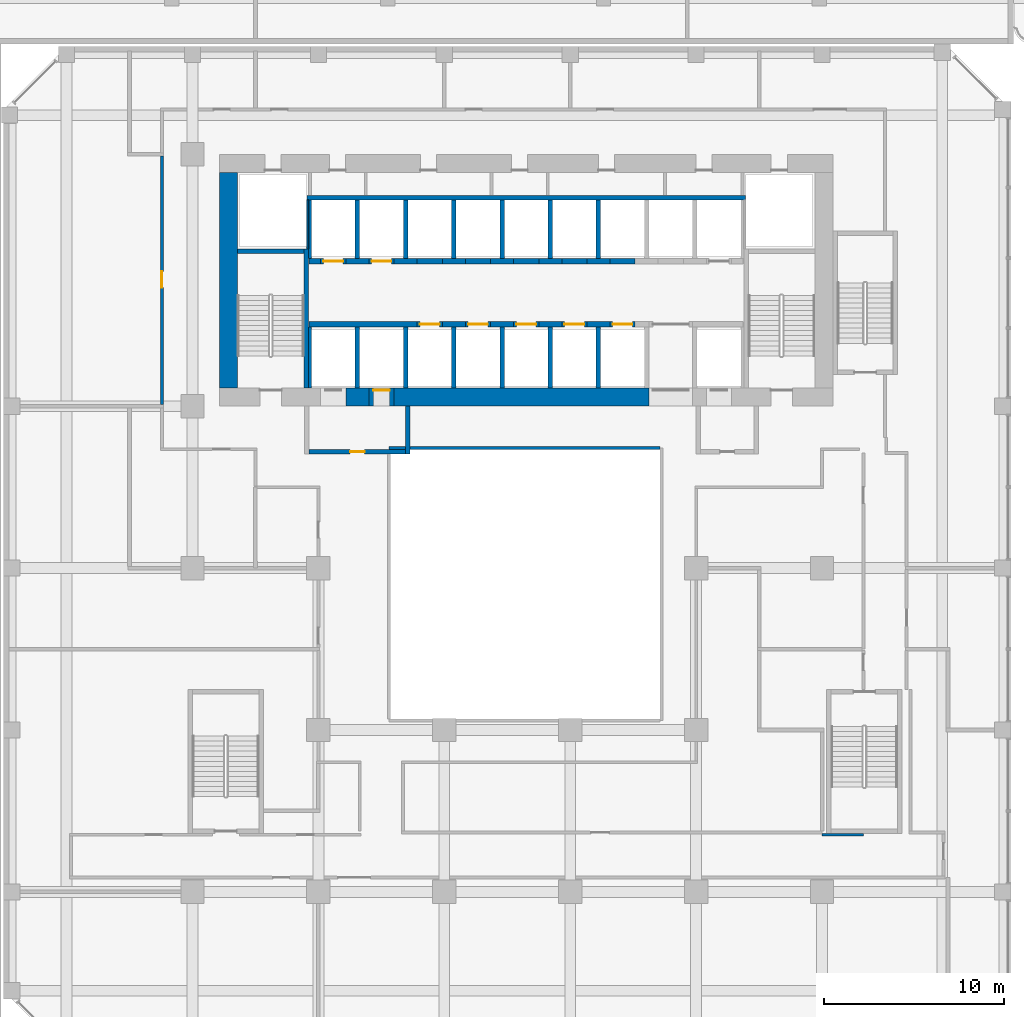
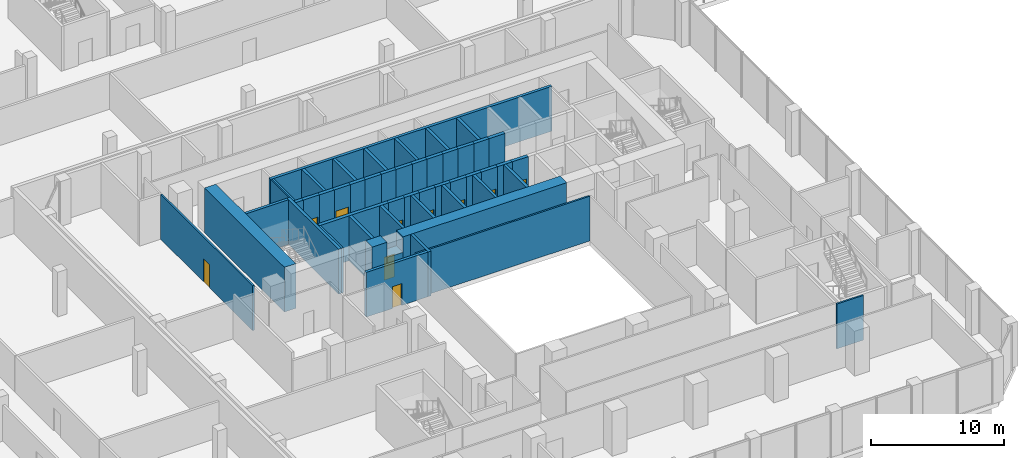
# One storey, part 18 of 35: 51 walls, 10 doors, 10 openings.
"""IFC4 building model written with IfcOpenShell, lengths in metres."""

from ifc_helpers import new_model, si_unit, direction, frame, frame_2d, origin, place, context, subcontext, project, spatial, rectangle, extrude, source, transform, mapped, material, layer, layer_set, type_object, element, fill, save


model = new_model("IFC4")

# Units and contexts
model_context = context("Model", 3, precision=1e-05, world=origin(), true_north=direction((0.0, 1.0)))
body_context = subcontext(model_context, "Body", "Model", "MODEL_VIEW")
ifc_project = project(units=[si_unit("LENGTHUNIT", "METRE"), si_unit("AREAUNIT", "SQUARE_METRE"), si_unit("VOLUMEUNIT", "CUBIC_METRE"), si_unit("PLANEANGLEUNIT", "RADIAN"), si_unit("MASSUNIT", "GRAM", prefix="KILO")], contexts=[model_context])

# Site, building, storey
site_placement = place(None, origin())
site = spatial("IfcSite", under=ifc_project, at=site_placement, CompositionType="ELEMENT")
building_placement = place(site_placement, origin())
building = spatial("IfcBuilding", under=site, at=building_placement, Name="Kilnfold Tower and Market Hall", CompositionType="ELEMENT")
storey_placement = place(building_placement, frame((0.0, 0.0, 13.5)))
storey = spatial("IfcBuildingStorey", under=building, at=storey_placement, Name="L02", CompositionType="ELEMENT", Elevation=13.5)

# Wall
ifc_material_1 = material(Name="Fire-resisting glazed screen")
ifc_layer_1 = layer(ifc_material_1, 0.14990234375)
ifc_layer_set_1 = layer_set([ifc_layer_1], Name="Fire-resisting glazed screen")
wall_type_1 = type_object("IfcWallType", Name="WALL ATRIUM 150", PredefinedType="PARTITIONING", material=ifc_layer_set_1)
wall_1_placement = place(storey_placement, frame((-6.574951171875, 5.675048828125, 0.0), z_axis=(0.0, 0.0, 1.0), x_axis=(1.0, 0.0, 0.0)))
element("IfcWall", 1, at=wall_1_placement, inside=storey, type_object=wall_type_1, Name="Partition LY03.69", PredefinedType="PARTITIONING", context=body_context, shape_type="SweptSolid", body=[
    extrude(rectangle(XDim=15.074951171875, YDim=0.14990234375, at=frame_2d((7.53759765625, 0.0))), origin(), (0.0, 0.0, 1.0), 4.10009765625),
])

# Wall, opening, door
ifc_material_2 = material(Name="Gypsum board on steel studs", Category="steel")
ifc_layer_2 = layer(ifc_material_2, 0.14990234375)
ifc_layer_set_2 = layer_set([ifc_layer_2], Name="Gypsum board on steel studs")
wall_type_2 = type_object("IfcWallType", Name="WALL CORRIDOR 150", PredefinedType="PARTITIONING", material=ifc_layer_set_2)
wall_2_placement = place(storey_placement, frame((-19.199951171875, 8.090087890625, 0.0), z_axis=(0.0, 0.0, 1.0), x_axis=(0.0, 1.0, 0.0)))
wall_2 = element("IfcWall", 2, at=wall_2_placement, inside=storey, type_object=wall_type_2, Name="Partition LY03.8", PredefinedType="PARTITIONING", context=body_context, shape_type="SweptSolid", body=[
    extrude(rectangle(XDim=13.81982421875, YDim=0.14990234375, at=frame_2d((6.909912109375, 0.0))), origin(), (0.0, 0.0, 1.0), 4.10009765625),
])
opening_1_placement = place(wall_2_placement, frame((6.510009765625, 0.0, 0.0)))
opening_1 = element("IfcOpeningElement", 3, at=opening_1_placement, cuts=wall_2, Name="Opening D2", PredefinedType="OPENING", context=body_context, shape_type="SweptSolid", body=[
    extrude(rectangle(XDim=0.89990234375, YDim=2.10009765625, at=frame_2d((0.449951171875, 1.050048828125))), frame((0.0, 0.0849609375, 0.0), z_axis=(0.0, -1.0, 0.0), x_axis=(1.0, 0.0, 0.0)), (0.0, 0.0, 1.0), 0.169921875),
])
ifc_material_3 = material(Name="Timber veneer door leaf in steel frame", Category="steel")
door_type_1 = type_object("IfcDoorType", Name="DOOR ROOM 900 X2100", OperationType="NOTDEFINED", PredefinedType="DOOR", material=ifc_material_3)
door_1_placement = place(opening_1_placement, origin())
door_1 = element("IfcDoor", 4, at=door_1_placement, inside=storey, type_object=door_type_1, Name="Door D2", OperationType="SINGLE_SWING_LEFT", OverallHeight=2.10009765625, OverallWidth=0.89990234375, PredefinedType="DOOR", context=body_context, shape_type="SweptSolid", body=[
    extrude(rectangle(XDim=0.89990234375, YDim=2.10009765625, at=frame_2d((0.449951171875, 1.050048828125))), frame((0.0, 0.02490234375, 0.0), z_axis=(0.0, -1.0, 0.0), x_axis=(1.0, 0.0, 0.0)), (0.0, 0.0, 1.0), 0.050048828125),
])
fill(opening_1, door_1)

# Walls
wall_3_placement = place(storey_placement, frame((17.489990234375, -15.824951171875, 0.0), z_axis=(0.0, 0.0, 1.0), x_axis=(1.0, 0.0, 0.0)))
element("IfcWall", 5, at=wall_3_placement, inside=storey, type_object=wall_type_2, Name="Partition LY03.33", PredefinedType="PARTITIONING", context=body_context, shape_type="SweptSolid", body=[
    extrude(rectangle(XDim=2.31005859375, YDim=0.14990234375, at=frame_2d((1.155029296875, 0.0))), origin(), (0.0, 0.0, 1.0), 4.10009765625),
])
ifc_material_4 = material(Name="Concrete C80", Category="concrete")
ifc_layer_3 = layer(ifc_material_4, 1.0)
ifc_layer_set_3 = layer_set([ifc_layer_3], Name="Concrete C80")
wall_type_3 = type_object("IfcWallType", Name="CORE WALL 1000 C80", PredefinedType="SHEAR", material=ifc_layer_set_3)
shared_shape_1 = source(origin(), body_context, "Body", "SweptSolid", [
    extrude(rectangle(XDim=1.280029296875, YDim=1.0, at=frame_2d((0.64013671875, 0.0))), origin(), (0.0, 0.0, 1.0), 4.10009765625),
])
wall_4_placement = place(storey_placement, frame((-8.969970703125, 8.5, 0.0), z_axis=(0.0, 0.0, 1.0), x_axis=(1.0, 0.0, 0.0)))
element("IfcWall", 6, at=wall_4_placement, inside=storey, type_object=wall_type_3, Name="Core outer wall south", PredefinedType="SHEAR", context=body_context, shape_type="MappedRepresentation", body=[
    mapped(shared_shape_1, transform((0.0, 0.0, 0.0))),
])
shared_shape_2 = source(origin(), body_context, "Body", "SweptSolid", [
    extrude(rectangle(XDim=14.179931640625, YDim=1.0, at=frame_2d((7.08984375, 0.0))), origin(), (0.0, 0.0, 1.0), 4.10009765625),
])
wall_5_placement = place(storey_placement, frame((-6.2900390625, 8.5, 0.0), z_axis=(0.0, 0.0, 1.0), x_axis=(1.0, 0.0, 0.0)))
element("IfcWall", 7, at=wall_5_placement, inside=storey, type_object=wall_type_3, Name="Core outer wall south", PredefinedType="SHEAR", context=body_context, shape_type="MappedRepresentation", body=[
    mapped(shared_shape_2, transform((0.0, 0.0, 0.0))),
])
shared_shape_3 = source(origin(), body_context, "Body", "SweptSolid", [
    extrude(rectangle(XDim=12.0, YDim=1.0, at=frame_2d((6.0, 0.0))), origin(), (0.0, 0.0, 1.0), 4.10009765625),
])
wall_6_placement = place(storey_placement, frame((-15.5, 9.0, 0.0), z_axis=(0.0, 0.0, 1.0), x_axis=(0.0, 1.0, 0.0)))
element("IfcWall", 8, at=wall_6_placement, inside=storey, type_object=wall_type_3, Name="Core outer wall west", PredefinedType="SHEAR", context=body_context, shape_type="MappedRepresentation", body=[
    mapped(shared_shape_3, transform((0.0, 0.0, 0.0))),
])
ifc_material_5 = material(Name="Concrete C80", Category="concrete")
ifc_layer_4 = layer(ifc_material_5, 0.25)
ifc_layer_set_4 = layer_set([ifc_layer_4], Name="Concrete C80")
wall_type_4 = type_object("IfcWallType", Name="CORE WALL 250 C80", PredefinedType="SHEAR", material=ifc_layer_set_4)
shared_shape_4 = source(origin(), body_context, "Body", "SweptSolid", [
    extrude(rectangle(XDim=7.75, YDim=0.25, at=frame_2d((3.875, 0.0))), origin(), (0.0, 0.0, 1.0), 4.10009765625),
])
wall_7_placement = place(storey_placement, frame((-11.175048828125, 9.0, 0.0), z_axis=(0.0, 0.0, 1.0), x_axis=(0.0, 1.0, 0.0)))
element("IfcWall", 9, at=wall_7_placement, inside=storey, type_object=wall_type_4, Name="Stair enclosure ST1", PredefinedType="SHEAR", context=body_context, shape_type="MappedRepresentation", body=[
    mapped(shared_shape_4, transform((0.0, 0.0, 0.0))),
])
shared_shape_5 = source(origin(), body_context, "Body", "SweptSolid", [
    extrude(rectangle(XDim=3.699951171875, YDim=0.25, at=frame_2d((1.85009765625, 0.0))), origin(), (0.0, 0.0, 1.0), 4.10009765625),
])
wall_8_placement = place(storey_placement, frame((-15.0, 16.625, 0.0), z_axis=(0.0, 0.0, 1.0), x_axis=(1.0, 0.0, 0.0)))
element("IfcWall", 10, at=wall_8_placement, inside=storey, type_object=wall_type_4, Name="Stair enclosure ST1", PredefinedType="SHEAR", context=body_context, shape_type="MappedRepresentation", body=[
    mapped(shared_shape_5, transform((0.0, 0.0, 0.0))),
])
ifc_material_6 = material(Name="Concrete C80", Category="concrete")
ifc_layer_5 = layer(ifc_material_6, 0.300048828125)
ifc_layer_set_5 = layer_set([ifc_layer_5], Name="Concrete C80")
wall_type_5 = type_object("IfcWallType", Name="CORE WALL 300 C80", PredefinedType="SHEAR", material=ifc_layer_set_5)
shared_shape_6 = source(origin(), body_context, "Body", "SweptSolid", [
    extrude(rectangle(XDim=6.0, YDim=0.300048828125, at=frame_2d((3.0, 0.0))), origin(), (0.0, 0.0, 1.0), 4.10009765625),
])
wall_9_placement = place(storey_placement, frame((-11.010009765625, 12.550048828125, 0.0), z_axis=(0.0, 0.0, 1.0), x_axis=(1.0, 0.0, 0.0)))
element("IfcWall", 11, at=wall_9_placement, inside=storey, type_object=wall_type_5, Name="Core spine wall", PredefinedType="SHEAR", context=body_context, shape_type="MappedRepresentation", body=[
    mapped(shared_shape_6, transform((0.0, 0.0, 0.0))),
])
shared_shape_7 = source(origin(), body_context, "Body", "SweptSolid", [
    extrude(rectangle(XDim=1.280029296875, YDim=0.300048828125, at=frame_2d((0.64013671875, 0.0))), origin(), (0.0, 0.0, 1.0), 4.10009765625),
])
for number, where, z_axis, x_axis, name in (
    (12, (-3.610107421875, 12.550048828125, 0.0), (0.0, 0.0, 1.0), (1.0, 0.0, 0.0), "Core spine wall"),
    (13, (-0.929931640625, 12.550048828125, 0.0), (0.0, 0.0, 1.0), (1.0, 0.0, 0.0), "Core spine wall"),
    (14, (1.75, 12.550048828125, 0.0), (0.0, 0.0, 1.0), (1.0, 0.0, 0.0), "Core spine wall"),
    (15, (4.429931640625, 12.550048828125, 0.0), (0.0, 0.0, 1.0), (1.0, 0.0, 0.0), "Core spine wall"),
    (16, (-8.969970703125, 16.050048828125, 0.0), (0.0, 0.0, 1.0), (1.0, 0.0, 0.0), "Core spine wall"),
    (17, (-6.2900390625, 16.050048828125, 0.0), (0.0, 0.0, 1.0), (1.0, 0.0, 0.0), "Core spine wall"),
    (18, (-3.610107421875, 16.050048828125, 0.0), (0.0, 0.0, 1.0), (1.0, 0.0, 0.0), "Core spine wall"),
    (19, (-0.929931640625, 16.050048828125, 0.0), (0.0, 0.0, 1.0), (1.0, 0.0, 0.0), "Core spine wall"),
    (20, (1.75, 16.050048828125, 0.0), (0.0, 0.0, 1.0), (1.0, 0.0, 0.0), "Core spine wall"),
    (21, (4.429931640625, 16.050048828125, 0.0), (0.0, 0.0, 1.0), (1.0, 0.0, 0.0), "Core spine wall"),
):
    element("IfcWall", number, at=place(storey_placement, frame(where, z_axis=z_axis, x_axis=x_axis)), inside=storey, type_object=wall_type_5, Name=name, PredefinedType="SHEAR", context=body_context, shape_type="MappedRepresentation", body=[
        mapped(shared_shape_7, transform((0.0, 0.0, 0.0))),
    ])
shared_shape_8 = source(origin(), body_context, "Body", "SweptSolid", [
    extrude(rectangle(XDim=0.639892578125, YDim=0.300048828125, at=frame_2d((0.31982421875, 0.0))), origin(), (0.0, 0.0, 1.0), 4.10009765625),
])
wall_10_placement = place(storey_placement, frame((-11.010009765625, 16.050048828125, 0.0), z_axis=(0.0, 0.0, 1.0), x_axis=(1.0, 0.0, 0.0)))
element("IfcWall", 22, at=wall_10_placement, inside=storey, type_object=wall_type_5, Name="Core spine wall", PredefinedType="SHEAR", context=body_context, shape_type="MappedRepresentation", body=[
    mapped(shared_shape_8, transform((0.0, 0.0, 0.0))),
])
ifc_material_7 = material(Name="Gypsum shaft wall system")
ifc_layer_6 = layer(ifc_material_7, 0.25)
ifc_layer_set_6 = layer_set([ifc_layer_6], Name="Gypsum shaft wall system")
wall_type_6 = type_object("IfcWallType", Name="LOBBY WALL 250", PredefinedType="PARTITIONING", material=ifc_layer_set_6)
shared_shape_9 = source(origin(), body_context, "Body", "SweptSolid", [
    extrude(rectangle(XDim=2.64990234375, YDim=0.25, at=frame_2d((1.324951171875, 0.0))), origin(), (0.0, 0.0, 1.0), 4.10009765625),
])
wall_11_placement = place(storey_placement, frame((-5.52490234375, 5.35009765625, 0.0), z_axis=(0.0, 0.0, 1.0), x_axis=(0.0, 1.0, 0.0)))
element("IfcWall", 23, at=wall_11_placement, inside=storey, type_object=wall_type_6, Name="Firefighting lobby wall", PredefinedType="PARTITIONING", context=body_context, shape_type="MappedRepresentation", body=[
    mapped(shared_shape_9, transform((0.0, 0.0, 0.0))),
])

# Wall, opening, door
shared_shape_10 = source(origin(), body_context, "Body", "SweptSolid", [
    extrude(rectangle(XDim=5.360107421875, YDim=0.25, at=frame_2d((2.68017578125, 0.0))), origin(), (0.0, 0.0, 1.0), 4.10009765625),
])
wall_12_placement = place(storey_placement, frame((-11.010009765625, 5.47509765625, 0.0), z_axis=(0.0, 0.0, 1.0), x_axis=(1.0, 0.0, 0.0)))
wall_12 = element("IfcWall", 24, at=wall_12_placement, inside=storey, type_object=wall_type_6, Name="Firefighting lobby wall", PredefinedType="PARTITIONING", context=body_context, shape_type="MappedRepresentation", body=[
    mapped(shared_shape_10, transform((0.0, 0.0, 0.0))),
])
opening_2_placement = place(wall_12_placement, frame((2.280029296875, 0.0, 0.0)))
opening_2 = element("IfcOpeningElement", 25, at=opening_2_placement, cuts=wall_12, Name="Opening VD1", PredefinedType="OPENING", context=body_context, shape_type="SweptSolid", body=[
    extrude(rectangle(XDim=0.800048828125, YDim=2.0, at=frame_2d((0.39990234375, 1.0))), frame((0.0, 0.135009765625, 0.0), z_axis=(0.0, -1.0, 0.0), x_axis=(1.0, 0.0, 0.0)), (0.0, 0.0, 1.0), 0.27001953125),
])
ifc_material_8 = material(Name="Steel door set with fire-resisting leaf", Category="steel")
door_type_2 = type_object("IfcDoorType", Name="FIREFIGHTING LOBBY DOOR 800X2000", OperationType="NOTDEFINED", PredefinedType="DOOR", material=ifc_material_8)
door_2_placement = place(opening_2_placement, origin())
door_2 = element("IfcDoor", 26, at=door_2_placement, inside=storey, type_object=door_type_2, Name="Firefighting lobby door", OperationType="SINGLE_SWING_LEFT", OverallHeight=2.0, OverallWidth=0.800048828125, PredefinedType="DOOR", context=body_context, shape_type="SweptSolid", body=[
    extrude(rectangle(XDim=0.800048828125, YDim=2.0, at=frame_2d((0.39990234375, 1.0))), frame((0.0, 0.02490234375, 0.0), z_axis=(0.0, -1.0, 0.0), x_axis=(1.0, 0.0, 0.0)), (0.0, 0.0, 1.0), 0.050048828125),
])
fill(opening_2, door_2)

# Walls
ifc_material_9 = material(Name="Gypsum shaft wall system")
ifc_layer_7 = layer(ifc_material_9, 0.25)
ifc_layer_set_7 = layer_set([ifc_layer_7], Name="Gypsum shaft wall system")
wall_type_7 = type_object("IfcWallType", Name="SHAFT WALL 250", PredefinedType="PARTITIONING", material=ifc_layer_set_7)
shared_shape_11 = source(origin(), body_context, "Body", "SweptSolid", [
    extrude(rectangle(XDim=3.39990234375, YDim=0.25, at=frame_2d((1.699951171875, 0.0))), origin(), (0.0, 0.0, 1.0), 4.10009765625),
])
for number, where, z_axis, x_axis, name in (
    (27, (2.389892578125, 9.0, 0.0), (0.0, 0.0, 1.0), (0.0, 1.0, 0.0), "Lift shaft wall"),
    (28, (5.070068359375, 9.0, 0.0), (0.0, 0.0, 1.0), (0.0, 1.0, 0.0), "Lift shaft wall"),
    (29, (-0.2900390625, 9.0, 0.0), (0.0, 0.0, 1.0), (0.0, 1.0, 0.0), "Lift shaft wall"),
    (30, (-2.969970703125, 9.0, 0.0), (0.0, 0.0, 1.0), (0.0, 1.0, 0.0), "Lift shaft wall"),
    (31, (-5.64990234375, 9.0, 0.0), (0.0, 0.0, 1.0), (0.0, 1.0, 0.0), "Lift shaft wall"),
    (32, (-8.330078125, 9.0, 0.0), (0.0, 0.0, 1.0), (0.0, 1.0, 0.0), "Lift shaft wall"),
):
    element("IfcWall", number, at=place(storey_placement, frame(where, z_axis=z_axis, x_axis=x_axis)), inside=storey, type_object=wall_type_7, Name=name, PredefinedType="PARTITIONING", context=body_context, shape_type="MappedRepresentation", body=[
        mapped(shared_shape_11, transform((0.0, 0.0, 0.0))),
    ])
ifc_material_10 = material(Name="Gypsum shaft wall system")
ifc_layer_8 = layer(ifc_material_10, 0.1650390625)
ifc_layer_set_8 = layer_set([ifc_layer_8], Name="Gypsum shaft wall system")
wall_type_8 = type_object("IfcWallType", Name="SHAFT WALL 165", PredefinedType="PARTITIONING", material=ifc_layer_set_8)
shared_shape_12 = source(origin(), body_context, "Body", "SweptSolid", [
    extrude(rectangle(XDim=3.39990234375, YDim=0.1650390625, at=frame_2d((1.699951171875, 0.0))), origin(), (0.0, 0.0, 1.0), 4.10009765625),
])
wall_13_placement = place(storey_placement, frame((-10.967529296875, 9.0, 0.0), z_axis=(0.0, 0.0, 1.0), x_axis=(0.0, 1.0, 0.0)))
element("IfcWall", 33, at=wall_13_placement, inside=storey, type_object=wall_type_8, Name="Lift shaft wall", PredefinedType="PARTITIONING", context=body_context, shape_type="MappedRepresentation", body=[
    mapped(shared_shape_12, transform((0.0, 0.0, 0.0))),
])

# Wall, opening, door
ifc_material_11 = material(Name="Gypsum shaft wall system")
ifc_layer_9 = layer(ifc_material_11, 1.0)
ifc_layer_set_9 = layer_set([ifc_layer_9], Name="Gypsum shaft wall system")
wall_type_9 = type_object("IfcWallType", Name="LOBBY WALL 1000", PredefinedType="PARTITIONING", material=ifc_layer_set_9)
shared_shape_13 = source(origin(), body_context, "Body", "SweptSolid", [
    extrude(rectangle(XDim=1.39990234375, YDim=1.0, at=frame_2d((0.699951171875, 0.0))), origin(), (0.0, 0.0, 1.0), 2.699951171875),
])
wall_14_placement = place(storey_placement, frame((-7.68994140625, 8.5, 0.0), z_axis=(0.0, 0.0, 1.0), x_axis=(1.0, 0.0, 0.0)))
wall_14 = element("IfcWall", 34, at=wall_14_placement, inside=storey, type_object=wall_type_9, Name="Core wall infill", PredefinedType="PARTITIONING", context=body_context, shape_type="MappedRepresentation", body=[
    mapped(shared_shape_13, transform((0.0, 0.0, 0.0))),
])
opening_3_placement = place(wall_14_placement, frame((0.25, 0.0, 0.0)))
opening_3 = element("IfcOpeningElement", 35, at=opening_3_placement, cuts=wall_14, Name="Opening LD1", PredefinedType="OPENING", context=body_context, shape_type="SweptSolid", body=[
    extrude(rectangle(XDim=0.89990234375, YDim=2.10009765625, at=frame_2d((0.449951171875, 1.050048828125))), frame((0.0, 0.510009765625, 0.0), z_axis=(0.0, -1.0, 0.0), x_axis=(1.0, 0.0, 0.0)), (0.0, 0.0, 1.0), 1.02001953125),
])
ifc_material_12 = material(Name="Steel door set with fire-resisting leaf", Category="steel")
door_type_3 = type_object("IfcDoorType", Name="FIREFIGHTING LANDING DOOR 900X2100", OperationType="NOTDEFINED", PredefinedType="DOOR", material=ifc_material_12)
door_3_placement = place(opening_3_placement, origin())
door_3 = element("IfcDoor", 36, at=door_3_placement, inside=storey, type_object=door_type_3, Name="Landing door FF2", OperationType="SLIDING_TO_RIGHT", OverallHeight=2.10009765625, OverallWidth=0.89990234375, PredefinedType="DOOR", context=body_context, shape_type="SweptSolid", body=[
    extrude(rectangle(XDim=0.89990234375, YDim=2.10009765625, at=frame_2d((0.449951171875, 1.050048828125))), frame((0.0, 0.40478515625, 0.0), z_axis=(0.0, -1.0, 0.0), x_axis=(1.0, 0.0, 0.0)), (0.0, 0.0, 1.0), 0.050048828125),
])
fill(opening_3, door_3)

ifc_material_13 = material(Name="Gypsum shaft wall system")
ifc_layer_10 = layer(ifc_material_13, 0.300048828125)
ifc_layer_set_10 = layer_set([ifc_layer_10], Name="Gypsum shaft wall system")
wall_type_10 = type_object("IfcWallType", Name="SHAFT WALL 300", PredefinedType="PARTITIONING", material=ifc_layer_set_10)
shared_shape_14 = source(origin(), body_context, "Body", "SweptSolid", [
    extrude(rectangle(XDim=1.39990234375, YDim=0.300048828125, at=frame_2d((0.699951171875, 0.0))), origin(), (0.0, 0.0, 1.0), 4.10009765625),
])
wall_15_placement = place(storey_placement, frame((-5.010009765625, 12.550048828125, 0.0), z_axis=(0.0, 0.0, 1.0), x_axis=(1.0, 0.0, 0.0)))
wall_15 = element("IfcWall", 37, at=wall_15_placement, inside=storey, type_object=wall_type_10, Name="Lift shaft front wall", PredefinedType="PARTITIONING", context=body_context, shape_type="MappedRepresentation", body=[
    mapped(shared_shape_14, transform((0.0, 0.0, 0.0))),
])
opening_4_placement = place(wall_15_placement, frame((0.14990234375, 0.0, 0.0)))
opening_4 = element("IfcOpeningElement", 38, at=opening_4_placement, cuts=wall_15, Name="Opening LD2", PredefinedType="OPENING", context=body_context, shape_type="SweptSolid", body=[
    extrude(rectangle(XDim=1.10009765625, YDim=2.10009765625, at=frame_2d((0.550048828125, 1.050048828125))), frame((0.0, 0.16015625, 0.0), z_axis=(0.0, -1.0, 0.0), x_axis=(1.0, 0.0, 0.0)), (0.0, 0.0, 1.0), 0.320068359375),
])
ifc_material_14 = material(Name="Steel door set with fire-resisting leaf", Category="steel")
door_type_4 = type_object("IfcDoorType", Name="LANDING DOOR 1100X2100", OperationType="NOTDEFINED", PredefinedType="DOOR", material=ifc_material_14)
door_4_placement = place(opening_4_placement, origin())
door_4 = element("IfcDoor", 39, at=door_4_placement, inside=storey, type_object=door_type_4, Name="Landing door LR1", OperationType="DOUBLE_DOOR_SLIDING", OverallHeight=2.10009765625, OverallWidth=1.10009765625, PredefinedType="DOOR", context=body_context, shape_type="SweptSolid", body=[
    extrude(rectangle(XDim=1.10009765625, YDim=2.10009765625, at=frame_2d((0.550048828125, 1.050048828125))), frame((0.0, 0.02490234375, 0.0), z_axis=(0.0, -1.0, 0.0), x_axis=(1.0, 0.0, 0.0)), (0.0, 0.0, 1.0), 0.050048828125),
])
fill(opening_4, door_4)

wall_16_placement = place(storey_placement, frame((0.35009765625, 12.550048828125, 0.0), z_axis=(0.0, 0.0, 1.0), x_axis=(1.0, 0.0, 0.0)))
wall_16 = element("IfcWall", 40, at=wall_16_placement, inside=storey, type_object=wall_type_10, Name="Lift shaft front wall", PredefinedType="PARTITIONING", context=body_context, shape_type="MappedRepresentation", body=[
    mapped(shared_shape_14, transform((0.0, 0.0, 0.0))),
])
opening_5_placement = place(wall_16_placement, frame((0.14990234375, 0.0, 0.0)))
opening_5 = element("IfcOpeningElement", 41, at=opening_5_placement, cuts=wall_16, Name="Opening LD2", PredefinedType="OPENING", context=body_context, shape_type="SweptSolid", body=[
    extrude(rectangle(XDim=1.10009765625, YDim=2.10009765625, at=frame_2d((0.550048828125, 1.050048828125))), frame((0.0, 0.16015625, 0.0), z_axis=(0.0, -1.0, 0.0), x_axis=(1.0, 0.0, 0.0)), (0.0, 0.0, 1.0), 0.320068359375),
])
door_5_placement = place(opening_5_placement, origin())
door_5 = element("IfcDoor", 42, at=door_5_placement, inside=storey, type_object=door_type_4, Name="Landing door LR3", OperationType="DOUBLE_DOOR_SLIDING", OverallHeight=2.10009765625, OverallWidth=1.10009765625, PredefinedType="DOOR", context=body_context, shape_type="SweptSolid", body=[
    extrude(rectangle(XDim=1.10009765625, YDim=2.10009765625, at=frame_2d((0.550048828125, 1.050048828125))), frame((0.0, 0.02490234375, 0.0), z_axis=(0.0, -1.0, 0.0), x_axis=(1.0, 0.0, 0.0)), (0.0, 0.0, 1.0), 0.050048828125),
])
fill(opening_5, door_5)

wall_17_placement = place(storey_placement, frame((3.030029296875, 12.550048828125, 0.0), z_axis=(0.0, 0.0, 1.0), x_axis=(1.0, 0.0, 0.0)))
wall_17 = element("IfcWall", 43, at=wall_17_placement, inside=storey, type_object=wall_type_10, Name="Lift shaft front wall", PredefinedType="PARTITIONING", context=body_context, shape_type="MappedRepresentation", body=[
    mapped(shared_shape_14, transform((0.0, 0.0, 0.0))),
])
opening_6_placement = place(wall_17_placement, frame((0.14990234375, 0.0, 0.0)))
opening_6 = element("IfcOpeningElement", 44, at=opening_6_placement, cuts=wall_17, Name="Opening LD2", PredefinedType="OPENING", context=body_context, shape_type="SweptSolid", body=[
    extrude(rectangle(XDim=1.10009765625, YDim=2.10009765625, at=frame_2d((0.550048828125, 1.050048828125))), frame((0.0, 0.16015625, 0.0), z_axis=(0.0, -1.0, 0.0), x_axis=(1.0, 0.0, 0.0)), (0.0, 0.0, 1.0), 0.320068359375),
])
door_6_placement = place(opening_6_placement, origin())
door_6 = element("IfcDoor", 45, at=door_6_placement, inside=storey, type_object=door_type_4, Name="Landing door LR4", OperationType="DOUBLE_DOOR_SLIDING", OverallHeight=2.10009765625, OverallWidth=1.10009765625, PredefinedType="DOOR", context=body_context, shape_type="SweptSolid", body=[
    extrude(rectangle(XDim=1.10009765625, YDim=2.10009765625, at=frame_2d((0.550048828125, 1.050048828125))), frame((0.0, 0.02490234375, 0.0), z_axis=(0.0, -1.0, 0.0), x_axis=(1.0, 0.0, 0.0)), (0.0, 0.0, 1.0), 0.050048828125),
])
fill(opening_6, door_6)

wall_18_placement = place(storey_placement, frame((-7.68994140625, 16.050048828125, 0.0), z_axis=(0.0, 0.0, 1.0), x_axis=(1.0, 0.0, 0.0)))
wall_18 = element("IfcWall", 46, at=wall_18_placement, inside=storey, type_object=wall_type_10, Name="Lift shaft front wall", PredefinedType="PARTITIONING", context=body_context, shape_type="MappedRepresentation", body=[
    mapped(shared_shape_14, transform((0.0, 0.0, 0.0))),
])
opening_7_placement = place(wall_18_placement, frame((0.14990234375, 0.0, 0.0)))
opening_7 = element("IfcOpeningElement", 47, at=opening_7_placement, cuts=wall_18, Name="Opening LD2", PredefinedType="OPENING", context=body_context, shape_type="SweptSolid", body=[
    extrude(rectangle(XDim=1.10009765625, YDim=2.10009765625, at=frame_2d((0.550048828125, 1.050048828125))), frame((0.0, 0.16015625, 0.0), z_axis=(0.0, -1.0, 0.0), x_axis=(1.0, 0.0, 0.0)), (0.0, 0.0, 1.0), 0.320068359375),
])
door_7_placement = place(opening_7_placement, origin())
door_7 = element("IfcDoor", 48, at=door_7_placement, inside=storey, type_object=door_type_4, Name="Landing door LR8", OperationType="DOUBLE_DOOR_SLIDING", OverallHeight=2.10009765625, OverallWidth=1.10009765625, PredefinedType="DOOR", context=body_context, shape_type="SweptSolid", body=[
    extrude(rectangle(XDim=1.10009765625, YDim=2.10009765625, at=frame_2d((0.550048828125, 1.050048828125))), frame((0.0, 0.02490234375, 0.0), z_axis=(0.0, -1.0, 0.0), x_axis=(1.0, 0.0, 0.0)), (0.0, 0.0, 1.0), 0.050048828125),
])
fill(opening_7, door_7)

# Walls
for number, where, z_axis, x_axis, name in (
    (49, (-5.010009765625, 16.050048828125, 0.0), (0.0, 0.0, 1.0), (1.0, 0.0, 0.0), "Lift shaft front wall"),
    (50, (0.35009765625, 16.050048828125, 0.0), (0.0, 0.0, 1.0), (1.0, 0.0, 0.0), "Lift shaft front wall"),
    (51, (3.030029296875, 16.050048828125, 0.0), (0.0, 0.0, 1.0), (1.0, 0.0, 0.0), "Lift shaft front wall"),
):
    element("IfcWall", number, at=place(storey_placement, frame(where, z_axis=z_axis, x_axis=x_axis)), inside=storey, type_object=wall_type_10, Name=name, PredefinedType="PARTITIONING", context=body_context, shape_type="MappedRepresentation", body=[
        mapped(shared_shape_14, transform((0.0, 0.0, 0.0))),
    ])

# Wall, opening, door
shared_shape_15 = source(origin(), body_context, "Body", "SweptSolid", [
    extrude(rectangle(XDim=1.400146484375, YDim=0.300048828125, at=frame_2d((0.7001953125, 0.0))), origin(), (0.0, 0.0, 1.0), 4.10009765625),
])
wall_19_placement = place(storey_placement, frame((-2.330078125, 12.550048828125, 0.0), z_axis=(0.0, 0.0, 1.0), x_axis=(1.0, 0.0, 0.0)))
wall_19 = element("IfcWall", 52, at=wall_19_placement, inside=storey, type_object=wall_type_10, Name="Lift shaft front wall", PredefinedType="PARTITIONING", context=body_context, shape_type="MappedRepresentation", body=[
    mapped(shared_shape_15, transform((0.0, 0.0, 0.0))),
])
opening_8_placement = place(wall_19_placement, frame((0.14990234375, 0.0, 0.0)))
opening_8 = element("IfcOpeningElement", 53, at=opening_8_placement, cuts=wall_19, Name="Opening LD2", PredefinedType="OPENING", context=body_context, shape_type="SweptSolid", body=[
    extrude(rectangle(XDim=1.10009765625, YDim=2.10009765625, at=frame_2d((0.550048828125, 1.050048828125))), frame((0.0, 0.16015625, 0.0), z_axis=(0.0, -1.0, 0.0), x_axis=(1.0, 0.0, 0.0)), (0.0, 0.0, 1.0), 0.320068359375),
])
door_8_placement = place(opening_8_placement, origin())
door_8 = element("IfcDoor", 54, at=door_8_placement, inside=storey, type_object=door_type_4, Name="Landing door LR2", OperationType="DOUBLE_DOOR_SLIDING", OverallHeight=2.10009765625, OverallWidth=1.10009765625, PredefinedType="DOOR", context=body_context, shape_type="SweptSolid", body=[
    extrude(rectangle(XDim=1.10009765625, YDim=2.10009765625, at=frame_2d((0.550048828125, 1.050048828125))), frame((0.0, 0.02490234375, 0.0), z_axis=(0.0, -1.0, 0.0), x_axis=(1.0, 0.0, 0.0)), (0.0, 0.0, 1.0), 0.050048828125),
])
fill(opening_8, door_8)

wall_20_placement = place(storey_placement, frame((5.7099609375, 12.550048828125, 0.0), z_axis=(0.0, 0.0, 1.0), x_axis=(1.0, 0.0, 0.0)))
wall_20 = element("IfcWall", 55, at=wall_20_placement, inside=storey, type_object=wall_type_10, Name="Lift shaft front wall", PredefinedType="PARTITIONING", context=body_context, shape_type="MappedRepresentation", body=[
    mapped(shared_shape_15, transform((0.0, 0.0, 0.0))),
])
opening_9_placement = place(wall_20_placement, frame((0.14990234375, 0.0, 0.0)))
opening_9 = element("IfcOpeningElement", 56, at=opening_9_placement, cuts=wall_20, Name="Opening LD2", PredefinedType="OPENING", context=body_context, shape_type="SweptSolid", body=[
    extrude(rectangle(XDim=1.10009765625, YDim=2.10009765625, at=frame_2d((0.550048828125, 1.050048828125))), frame((0.0, 0.16015625, 0.0), z_axis=(0.0, -1.0, 0.0), x_axis=(1.0, 0.0, 0.0)), (0.0, 0.0, 1.0), 0.320068359375),
])
door_9_placement = place(opening_9_placement, origin())
door_9 = element("IfcDoor", 57, at=door_9_placement, inside=storey, type_object=door_type_4, Name="Landing door LR5", OperationType="DOUBLE_DOOR_SLIDING", OverallHeight=2.10009765625, OverallWidth=1.10009765625, PredefinedType="DOOR", context=body_context, shape_type="SweptSolid", body=[
    extrude(rectangle(XDim=1.10009765625, YDim=2.10009765625, at=frame_2d((0.550048828125, 1.050048828125))), frame((0.0, 0.02490234375, 0.0), z_axis=(0.0, -1.0, 0.0), x_axis=(1.0, 0.0, 0.0)), (0.0, 0.0, 1.0), 0.050048828125),
])
fill(opening_9, door_9)

wall_21_placement = place(storey_placement, frame((-10.3701171875, 16.050048828125, 0.0), z_axis=(0.0, 0.0, 1.0), x_axis=(1.0, 0.0, 0.0)))
wall_21 = element("IfcWall", 58, at=wall_21_placement, inside=storey, type_object=wall_type_10, Name="Lift shaft front wall", PredefinedType="PARTITIONING", context=body_context, shape_type="MappedRepresentation", body=[
    mapped(shared_shape_15, transform((0.0, 0.0, 0.0))),
])
opening_10_placement = place(wall_21_placement, frame((0.14990234375, 0.0, 0.0)))
opening_10 = element("IfcOpeningElement", 59, at=opening_10_placement, cuts=wall_21, Name="Opening LD2", PredefinedType="OPENING", context=body_context, shape_type="SweptSolid", body=[
    extrude(rectangle(XDim=1.10009765625, YDim=2.10009765625, at=frame_2d((0.550048828125, 1.050048828125))), frame((0.0, 0.16015625, 0.0), z_axis=(0.0, -1.0, 0.0), x_axis=(1.0, 0.0, 0.0)), (0.0, 0.0, 1.0), 0.320068359375),
])
door_10_placement = place(opening_10_placement, origin())
door_10 = element("IfcDoor", 60, at=door_10_placement, inside=storey, type_object=door_type_4, Name="Landing door LR7", OperationType="DOUBLE_DOOR_SLIDING", OverallHeight=2.10009765625, OverallWidth=1.10009765625, PredefinedType="DOOR", context=body_context, shape_type="SweptSolid", body=[
    extrude(rectangle(XDim=1.10009765625, YDim=2.10009765625, at=frame_2d((0.550048828125, 1.050048828125))), frame((0.0, 0.02490234375, 0.0), z_axis=(0.0, -1.0, 0.0), x_axis=(1.0, 0.0, 0.0)), (0.0, 0.0, 1.0), 0.050048828125),
])
fill(opening_10, door_10)

# Walls
for number, where, z_axis, x_axis, name in (
    (61, (-2.330078125, 16.050048828125, 0.0), (0.0, 0.0, 1.0), (1.0, 0.0, 0.0), "Lift shaft front wall"),
    (62, (5.7099609375, 16.050048828125, 0.0), (0.0, 0.0, 1.0), (1.0, 0.0, 0.0), "Lift shaft front wall"),
):
    element("IfcWall", number, at=place(storey_placement, frame(where, z_axis=z_axis, x_axis=x_axis)), inside=storey, type_object=wall_type_10, Name=name, PredefinedType="PARTITIONING", context=body_context, shape_type="MappedRepresentation", body=[
        mapped(shared_shape_15, transform((0.0, 0.0, 0.0))),
    ])
shared_shape_16 = source(origin(), body_context, "Body", "SweptSolid", [
    extrude(rectangle(XDim=24.3701171875, YDim=0.25, at=frame_2d((12.18505859375, 0.0))), origin(), (0.0, 0.0, 1.0), 4.10009765625),
])
wall_22_placement = place(storey_placement, frame((-11.135009765625, 19.60009765625, 0.0), z_axis=(0.0, 0.0, 1.0), x_axis=(1.0, 0.0, 0.0)))
element("IfcWall", 63, at=wall_22_placement, inside=storey, type_object=wall_type_7, Name="Lift shaft wall", PredefinedType="PARTITIONING", context=body_context, shape_type="MappedRepresentation", body=[
    mapped(shared_shape_16, transform((0.0, 0.0, 0.0))),
])
shared_shape_17 = source(origin(), body_context, "Body", "SweptSolid", [
    extrude(rectangle(XDim=3.275146484375, YDim=0.1650390625, at=frame_2d((1.6376953125, 0.0))), origin(), (0.0, 0.0, 1.0), 4.10009765625),
])
wall_23_placement = place(storey_placement, frame((-10.967529296875, 16.199951171875, 0.0), z_axis=(0.0, 0.0, 1.0), x_axis=(0.0, 1.0, 0.0)))
element("IfcWall", 64, at=wall_23_placement, inside=storey, type_object=wall_type_8, Name="Lift shaft wall", PredefinedType="PARTITIONING", context=body_context, shape_type="MappedRepresentation", body=[
    mapped(shared_shape_17, transform((0.0, 0.0, 0.0))),
])
shared_shape_18 = source(origin(), body_context, "Body", "SweptSolid", [
    extrude(rectangle(XDim=3.275146484375, YDim=0.25, at=frame_2d((1.6376953125, 0.0))), origin(), (0.0, 0.0, 1.0), 4.10009765625),
])
for number, where, z_axis, x_axis, name in (
    (65, (2.389892578125, 16.199951171875, 0.0), (0.0, 0.0, 1.0), (0.0, 1.0, 0.0), "Lift shaft wall"),
    (66, (5.070068359375, 16.199951171875, 0.0), (0.0, 0.0, 1.0), (0.0, 1.0, 0.0), "Lift shaft wall"),
    (67, (-0.2900390625, 16.199951171875, 0.0), (0.0, 0.0, 1.0), (0.0, 1.0, 0.0), "Lift shaft wall"),
    (68, (-2.969970703125, 16.199951171875, 0.0), (0.0, 0.0, 1.0), (0.0, 1.0, 0.0), "Lift shaft wall"),
    (69, (-5.64990234375, 16.199951171875, 0.0), (0.0, 0.0, 1.0), (0.0, 1.0, 0.0), "Lift shaft wall"),
    (70, (-8.330078125, 16.199951171875, 0.0), (0.0, 0.0, 1.0), (0.0, 1.0, 0.0), "Lift shaft wall"),
):
    element("IfcWall", number, at=place(storey_placement, frame(where, z_axis=z_axis, x_axis=x_axis)), inside=storey, type_object=wall_type_7, Name=name, PredefinedType="PARTITIONING", context=body_context, shape_type="MappedRepresentation", body=[
        mapped(shared_shape_18, transform((0.0, 0.0, 0.0))),
    ])
ifc_material_15 = material(Name="Gypsum shaft wall system")
ifc_layer_11 = layer(ifc_material_15, 0.0849609375)
ifc_layer_set_11 = layer_set([ifc_layer_11], Name="Gypsum shaft wall system")
wall_type_11 = type_object("IfcWallType", Name="SHAFT WALL 85", PredefinedType="PARTITIONING", material=ifc_layer_set_11)
shared_shape_19 = source(origin(), body_context, "Body", "SweptSolid", [
    extrude(rectangle(XDim=2.72509765625, YDim=0.0849609375, at=frame_2d((1.362548828125, 0.0))), origin(), (0.0, 0.0, 1.0), 4.10009765625),
])
wall_24_placement = place(storey_placement, frame((-11.092529296875, 16.75, 0.0), z_axis=(0.0, 0.0, 1.0), x_axis=(0.0, 1.0, 0.0)))
element("IfcWall", 71, at=wall_24_placement, inside=storey, type_object=wall_type_11, Name="Lift shaft wall", PredefinedType="PARTITIONING", context=body_context, shape_type="MappedRepresentation", body=[
    mapped(shared_shape_19, transform((0.0, 0.0, 0.0))),
])

save(model, "model.ifc")
